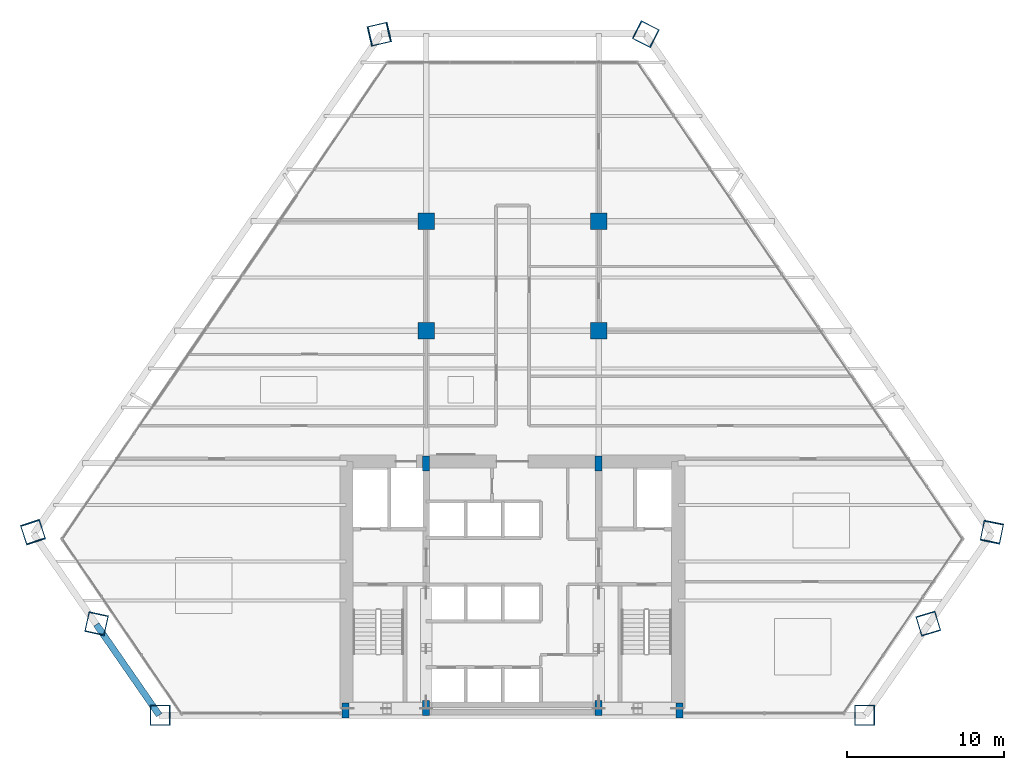
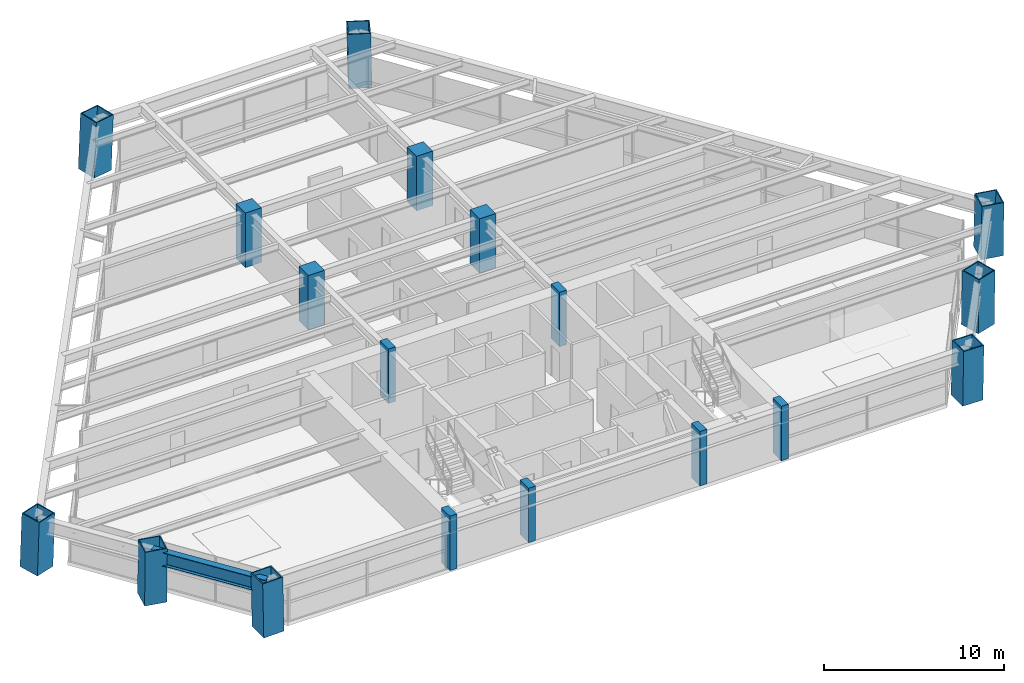
# One storey, part 1 of 13: 18 columns, 1 beam.
"""IFC4 building model written with IfcOpenShell, lengths in metres."""

from ifc_helpers import new_model, si_unit, direction, frame, origin, origin_2d, place, context, subcontext, project, spatial, rectangle, hollow_rectangle, i_section, extrude, source, transform, mapped, material, material_profile, profile_set, type_object, type_shapes, element, save


model = new_model("IFC4")

# Units and contexts
model_context = context("Model", 3, precision=1e-05, world=origin(), true_north=direction((0.0, 1.0)))
body_context = subcontext(model_context, "Body", "Model", "MODEL_VIEW")
ifc_project = project(units=[si_unit("LENGTHUNIT", "METRE"), si_unit("AREAUNIT", "SQUARE_METRE"), si_unit("VOLUMEUNIT", "CUBIC_METRE"), si_unit("PLANEANGLEUNIT", "RADIAN"), si_unit("MASSUNIT", "GRAM", prefix="KILO")], contexts=[model_context])

# Site, building, storey
site_placement = place(None, origin())
site = spatial("IfcSite", under=ifc_project, at=site_placement, CompositionType="ELEMENT")
building_placement = place(site_placement, origin())
building = spatial("IfcBuilding", under=site, at=building_placement, Name="Varnakhor Terracotta Tower", CompositionType="ELEMENT")
storey_placement = place(building_placement, frame((0.0, 0.0, 27.5)))
storey = spatial("IfcBuildingStorey", under=building, at=storey_placement, Name="L05", CompositionType="ELEMENT", Elevation=27.5)

# Columns
ifc_material_1 = material(Name="Concrete C50/60", Category="concrete")
ifc_material_profile_1 = material_profile(ifc_material_1, rectangle(XDim=0.449951171875, YDim=0.949951171875, at=origin_2d()), Name="RC PILASTER 950x450")
ifc_profile_set_1 = profile_set([ifc_material_profile_1], Name="Concrete C50/60")
column_type_1 = type_object("IfcColumnType", Name="COL-PIL-950x450", PredefinedType="PILASTER", material=ifc_profile_set_1)
shared_shape_1 = source(origin(), body_context, "Body", "SweptSolid", [
    extrude(rectangle(XDim=0.449951171875, YDim=0.949951171875, at=origin_2d()), origin(), (0.0, 0.0, 1.0), 3.699951171875),
])
for number, where, z_axis, x_axis, name in (
    (1, (-10.64990234375, 0.300048828125, 0.0), (0.0, 0.0, 1.0), (1.0, 0.0, 0.0), "L05 Core Pilaster CP1"),
    (2, (-5.5, 0.449951171875, 0.0), (0.0, 0.0, 1.0), (1.0, 0.0, 0.0), "L05 Core Pilaster CP2"),
    (3, (5.5, 0.449951171875, 0.0), (0.0, 0.0, 1.0), (1.0, 0.0, 0.0), "L05 Core Pilaster CP3"),
    (4, (10.64990234375, 0.300048828125, 0.0), (0.0, 0.0, 1.0), (1.0, 0.0, 0.0), "L05 Core Pilaster CP4"),
    (5, (-5.5, 16.050048828125, 0.0), (0.0, 0.0, 1.0), (1.0, 0.0, 0.0), "L05 Core Pilaster CP5"),
    (6, (5.5, 16.050048828125, 0.0), (0.0, 0.0, 1.0), (1.0, 0.0, 0.0), "L05 Core Pilaster CP6"),
):
    element("IfcColumn", number, at=place(storey_placement, frame(where, z_axis=z_axis, x_axis=x_axis)), inside=storey, type_object=column_type_1, Name=name, PredefinedType="PILASTER", context=body_context, shape_type="MappedRepresentation", body=[
        mapped(shared_shape_1, transform((0.0, 0.0, 0.0), scale=1.0)),
    ])
ifc_material_2 = material(Name="Steel S460", Category="steel")
ifc_material_profile_2 = material_profile(ifc_material_2, hollow_rectangle(XDim=1.300048828125, YDim=1.300048828125, WallThickness=0.06494140625, at=origin_2d()), Name="BOX 1300x1300x65")
ifc_profile_set_2 = profile_set([ifc_material_profile_2], Name="Steel S460")
column_type_2 = type_object("IfcColumnType", Name="COL-MEGA-1300", PredefinedType="COLUMN", material=ifc_profile_set_2)
shared_shape_2 = source(origin(), body_context, "Body", "SweptSolid", [
    extrude(hollow_rectangle(XDim=1.300048828125, YDim=1.300048828125, WallThickness=0.06494140625, at=origin_2d()), origin(), (0.0, 0.0, 1.0), 3.69189453125),
])
type_shapes(column_type_2, [shared_shape_2])
for number, where, z_axis, x_axis, name in (
    (7, (-22.446044921875, 0.0, 0.00439453125), (-0.019706470731, 0.0, 0.999805808651), (0.0, -1.0, 0.0), "L05 Perimeter Mega-Column M1"),
    (8, (8.513916015625, 43.406982421875, 0.00439453125), (-0.019044523968, 0.009720642442, 0.999771381475), (-0.454620573351, -0.890685204933, 0.0), "L05 Perimeter Mega-Column M5"),
    (9, (-26.509521484375, 5.84326171875, 0.00439453125), (-0.00396784784, -0.017921446076, 0.999831524785), (0.976356305139, -0.216167447632, 0.0), "L05 Perimeter Mega-Column M8"),
):
    element("IfcColumn", number, at=place(storey_placement, frame(where, z_axis=z_axis, x_axis=x_axis)), inside=storey, type_object=column_type_2, Name=name, PredefinedType="COLUMN", context=body_context, shape_type="MappedRepresentation", body=[
        mapped(shared_shape_2, transform((0.0, 0.0, 0.0), scale=1.0)),
    ])
shared_shape_3 = source(origin(), body_context, "Body", "SweptSolid", [
    extrude(hollow_rectangle(XDim=1.300048828125, YDim=1.300048828125, WallThickness=0.06494140625, at=origin_2d()), origin(), (0.0, 0.0, 1.0), 3.691650390625),
])
for number, where, z_axis, x_axis, name in (
    (10, (22.446044921875, 0.0, 0.00439453125), (0.017062136599, 0.0, 0.999854431152), (0.0, 1.0, 0.0), "L05 Perimeter Mega-Column M2"),
    (11, (26.509521484375, 5.84326171875, 0.00439453125), (0.005092127769, -0.016995803074, 0.999842594068), (0.957928811779, 0.287005908587, 0.0), "L05 Perimeter Mega-Column M3"),
):
    element("IfcColumn", number, at=place(storey_placement, frame(where, z_axis=z_axis, x_axis=x_axis)), inside=storey, type_object=column_type_2, Name=name, PredefinedType="COLUMN", context=body_context, shape_type="MappedRepresentation", body=[
        mapped(shared_shape_3, transform((0.0, 0.0, 0.0), scale=1.0)),
    ])
shared_shape_4 = source(origin(), body_context, "Body", "SweptSolid", [
    extrude(hollow_rectangle(XDim=1.300048828125, YDim=1.300048828125, WallThickness=0.06494140625, at=origin_2d()), origin(), (0.0, 0.0, 1.0), 3.693359375),
])
column_1_placement = place(storey_placement, frame((30.572998046875, 11.6865234375, 0.00439453125), z_axis=(-0.006874643023, -0.033910498756, 0.999401229416), x_axis=(0.980062950181, -0.198687225768, 0.0)))
element("IfcColumn", 12, at=column_1_placement, inside=storey, type_object=column_type_2, Name="L05 Perimeter Mega-Column M4", PredefinedType="COLUMN", context=body_context, shape_type="MappedRepresentation", body=[
    mapped(shared_shape_4, transform((0.0, 0.0, 0.0), scale=1.0)),
])
shared_shape_5 = source(origin(), body_context, "Body", "SweptSolid", [
    extrude(hollow_rectangle(XDim=1.300048828125, YDim=1.300048828125, WallThickness=0.06494140625, at=origin_2d()), origin(), (0.0, 0.0, 1.0), 3.694580078125),
])
column_2_placement = place(storey_placement, frame((-8.513916015625, 43.406982421875, 0.00439453125), z_axis=(0.04242289302, 0.009713653075, 0.999052522689), x_axis=(-0.223195830187, 0.974773625714, 0.0)))
element("IfcColumn", 13, at=column_2_placement, inside=storey, type_object=column_type_2, Name="L05 Perimeter Mega-Column M6", PredefinedType="COLUMN", context=body_context, shape_type="MappedRepresentation", body=[
    mapped(shared_shape_5, transform((0.0, 0.0, 0.0), scale=1.0)),
])
shared_shape_6 = source(origin(), body_context, "Body", "SweptSolid", [
    extrude(hollow_rectangle(XDim=1.300048828125, YDim=1.300048828125, WallThickness=0.06494140625, at=origin_2d()), origin(), (0.0, 0.0, 1.0), 3.69384765625),
])
column_3_placement = place(storey_placement, frame((-30.572998046875, 11.6865234375, 0.00439453125), z_axis=(0.01176489324, -0.035823438966, 0.999288881409), x_axis=(0.950076296618, 0.312017676749, 0.0)))
element("IfcColumn", 14, at=column_3_placement, inside=storey, type_object=column_type_2, Name="L05 Perimeter Mega-Column M7", PredefinedType="COLUMN", context=body_context, shape_type="MappedRepresentation", body=[
    mapped(shared_shape_6, transform((0.0, 0.0, 0.0), scale=1.0)),
])
ifc_material_3 = material(Name="Concrete C60/75", Category="concrete")
ifc_material_profile_3 = material_profile(ifc_material_3, rectangle(XDim=1.050048828125, YDim=1.050048828125, at=origin_2d()), Name="RC 1050x1050")
ifc_profile_set_3 = profile_set([ifc_material_profile_3], Name="Concrete C60/75")
column_type_3 = type_object("IfcColumnType", Name="COL-RC-1050", PredefinedType="COLUMN", material=ifc_profile_set_3)
shared_shape_7 = source(origin(), body_context, "Body", "SweptSolid", [
    extrude(rectangle(XDim=1.050048828125, YDim=1.050048828125, at=origin_2d()), origin(), (0.0, 0.0, 1.0), 3.699951171875),
])
for number, where, z_axis, x_axis, name in (
    (15, (-5.5, 24.5, 0.0), (0.0, 0.0, 1.0), (1.0, 0.0, 0.0), "L05 Interior Tower Column IC1"),
    (16, (5.5, 24.5, 0.0), (0.0, 0.0, 1.0), (1.0, 0.0, 0.0), "L05 Interior Tower Column IC2"),
    (17, (-5.5, 31.5, 0.0), (0.0, 0.0, 1.0), (1.0, 0.0, 0.0), "L05 Interior Tower Column IC3"),
    (18, (5.5, 31.5, 0.0), (0.0, 0.0, 1.0), (1.0, 0.0, 0.0), "L05 Interior Tower Column IC4"),
):
    element("IfcColumn", number, at=place(storey_placement, frame(where, z_axis=z_axis, x_axis=x_axis)), inside=storey, type_object=column_type_3, Name=name, PredefinedType="COLUMN", context=body_context, shape_type="MappedRepresentation", body=[
        mapped(shared_shape_7, transform((0.0, 0.0, 0.0), scale=1.0)),
    ])

# Beam
ifc_material_4 = material(Name="Steel S355", Category="steel")
ifc_material_profile_4 = material_profile(ifc_material_4, i_section(OverallWidth=0.41796875, OverallDepth=0.927001953125, WebThickness=0.01904296875, FlangeThickness=0.031982421875, FilletRadius=0.01806640625, at=origin_2d()), Name="W36X231")
ifc_profile_set_4 = profile_set([ifc_material_profile_4], Name="Steel S355")
beam_type = type_object("IfcBeamType", Name="BM-W36X231", PredefinedType="BEAM", material=ifc_profile_set_4)
shared_shape_8 = source(origin(), body_context, "Body", "SweptSolid", [
    extrude(i_section(OverallWidth=0.41796875, OverallDepth=0.927001953125, WebThickness=0.01904296875, FlangeThickness=0.031982421875, FilletRadius=0.01806640625, at=origin_2d()), origin(), (0.0, 0.0, 1.0), 7.02978515625),
])
beam_placement = place(storey_placement, frame((-26.524169921875, 5.777099609375, 2.986572265625), z_axis=(0.569771490821, -0.821803168798, 0.0), x_axis=(0.821803168798, 0.569771490821, 0.0)))
element("IfcBeam", 19, at=beam_placement, inside=storey, type_object=beam_type, Name="L05 Perimeter Spandrel 8", PredefinedType="BEAM", context=body_context, shape_type="MappedRepresentation", body=[
    mapped(shared_shape_8, transform((0.0, 0.0, 0.0), scale=1.0)),
])

save(model, "model.ifc")
